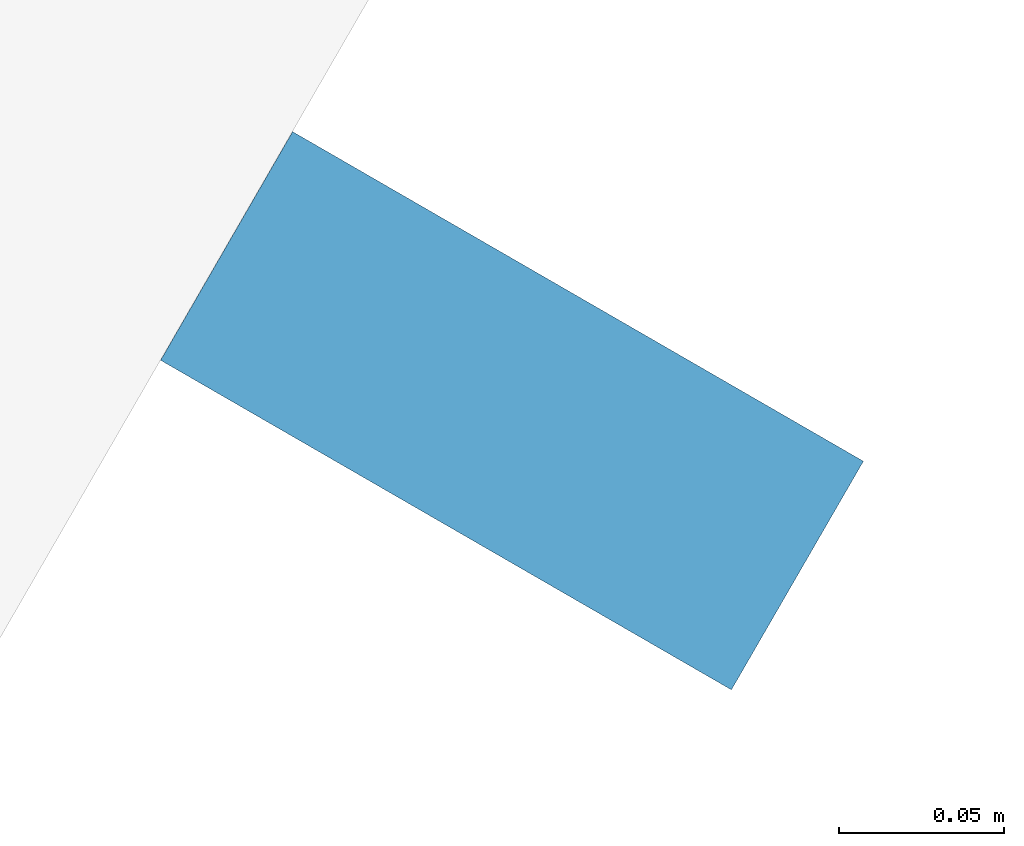
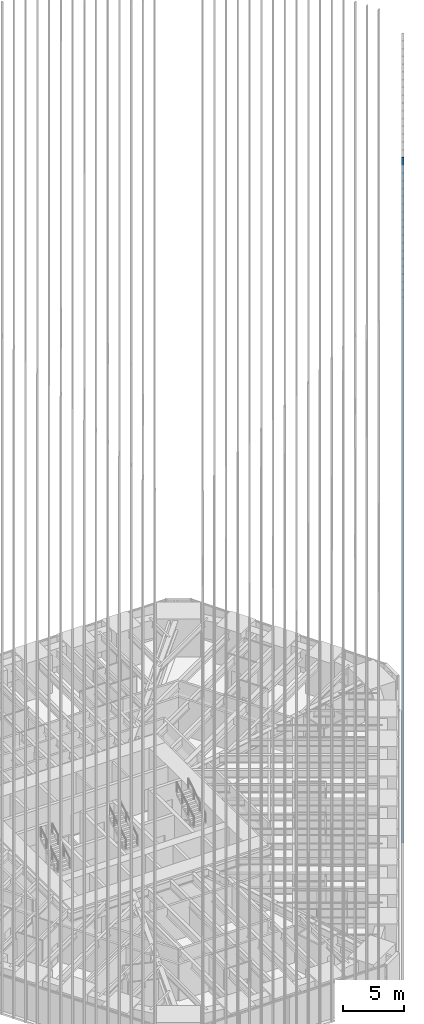
# One storey, part 110 of 256: 1 member, 1 element without a shape of its own.
"""IFC4 building model written with IfcOpenShell, lengths in metres."""

from ifc_helpers import new_model, si_unit, direction, frame, origin, origin_2d, place, context, subcontext, project, spatial, rectangle, extrude, material, material_profile, profile_set, type_object, element, aggregate, save


model = new_model("IFC4")

# Units and contexts
model_context = context("Model", 3, precision=1e-05, world=origin(), true_north=direction((0.0, 1.0)))
body_context = subcontext(model_context, "Body", "Model", "MODEL_VIEW")
ifc_project = project(units=[si_unit("LENGTHUNIT", "METRE"), si_unit("AREAUNIT", "SQUARE_METRE"), si_unit("VOLUMEUNIT", "CUBIC_METRE"), si_unit("PLANEANGLEUNIT", "RADIAN"), si_unit("MASSUNIT", "GRAM", prefix="KILO")], contexts=[model_context])

# Site, building, storey
site_placement = place(None, origin())
site = spatial("IfcSite", under=ifc_project, at=site_placement, CompositionType="ELEMENT")
building_placement = place(site_placement, origin())
building = spatial("IfcBuilding", under=site, at=building_placement, Name="Sandreach Pilgrim Tower", CompositionType="ELEMENT")
storey_placement = place(building_placement, frame((0.0, 0.0, 23.0)))
storey = spatial("IfcBuildingStorey", under=building, at=storey_placement, Name="L04", CompositionType="ELEMENT", Elevation=23.0)

# Curtain wall, member
ifc_material_1 = material(Name="Aluminium framed curtain wall", Category="aluminium")
curtain_wall_type = type_object("IfcCurtainWallType", Name="Hostel tower curtain wall", PredefinedType="NOTDEFINED", material=ifc_material_1)
curtain_wall_placement = place(storey_placement, origin())
curtain_wall = element("IfcCurtainWall", 1, at=curtain_wall_placement, inside=storey, type_object=curtain_wall_type, Name="CW-1 L04 SE", PredefinedType="NOTDEFINED")
ifc_material_2 = material(Name="Extruded terracotta on aluminium core", Category="masonry")
ifc_material_profile = material_profile(ifc_material_2, rectangle(XDim=0.080078125, YDim=0.199951171875, at=origin_2d()), Name="TBE 80X200")
ifc_profile_set = profile_set([ifc_material_profile], Name="Extruded terracotta on aluminium core")
member_type = type_object("IfcMemberType", Name="Terracotta baguette east", PredefinedType="USERDEFINED", material=ifc_profile_set)
member_placement = place(storey_placement, frame((21.639404296875, -11.216796875, 0.0), z_axis=(0.0, 0.0, 1.0), x_axis=(-0.5, -0.866025403784, 0.0)))
member = element("IfcMember", 2, at=member_placement, type_object=member_type, Name="Baguette Z1 SE17", ObjectType="BAGUETTE", PredefinedType="USERDEFINED", context=body_context, shape_type="SweptSolid", body=[
    extrude(rectangle(XDim=0.080078125, YDim=0.199951171875, at=origin_2d()), origin(), (0.0, 0.0, 1.0), 68.239990234375),
])
aggregate(curtain_wall, [member])

save(model, "model.ifc")
